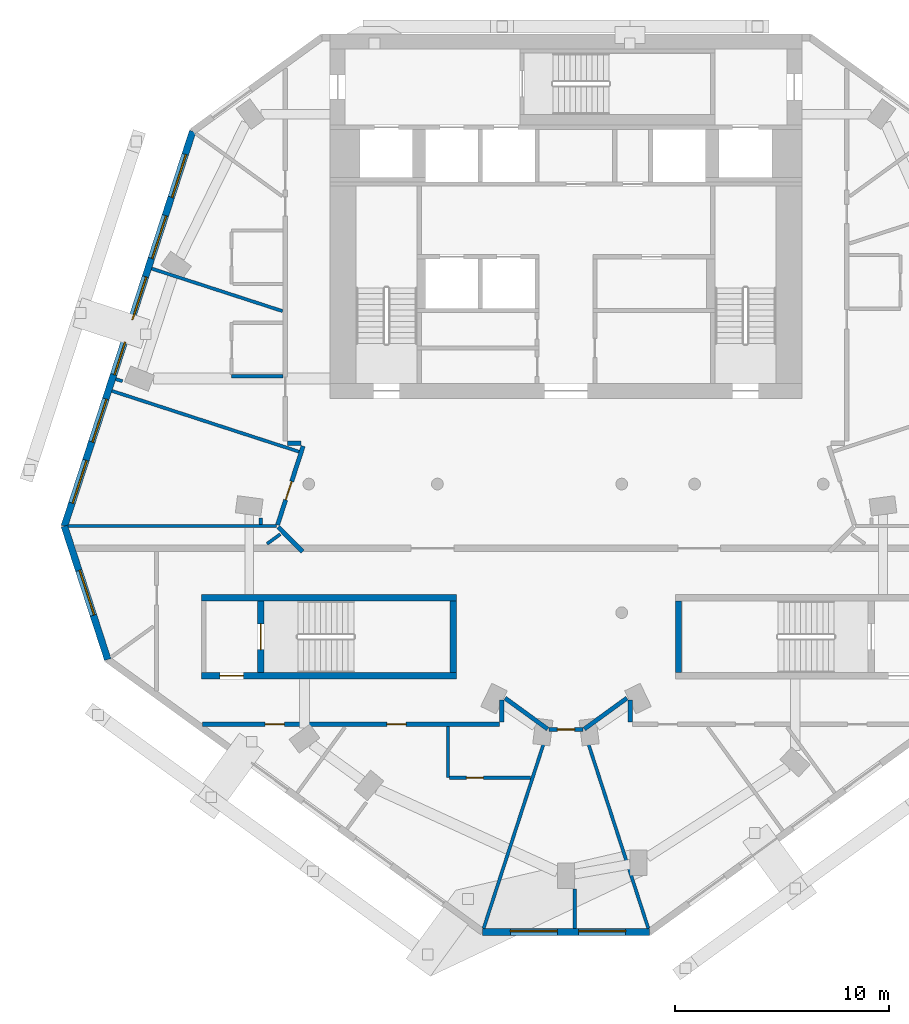
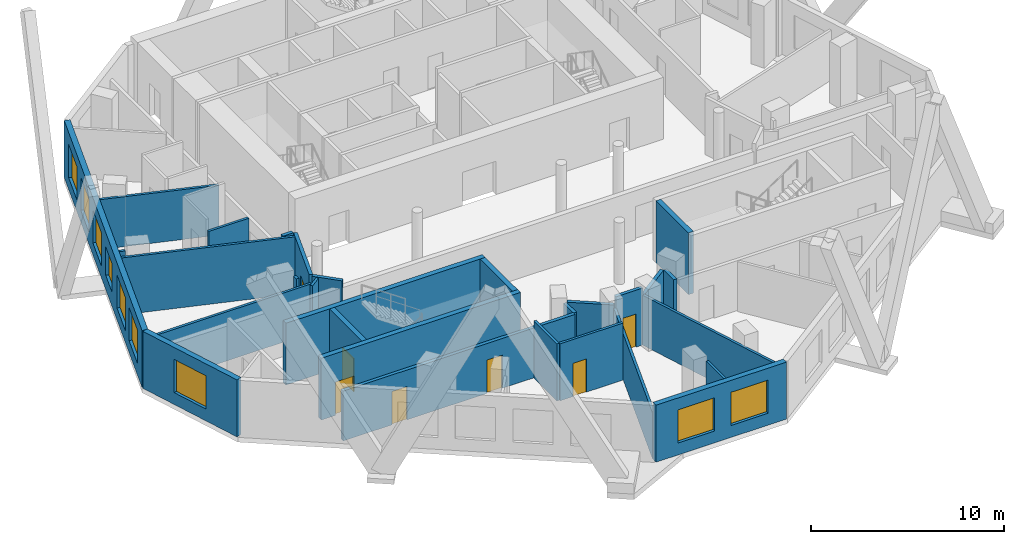
# One storey, part 3 of 9: 29 walls, 9 windows, 7 doors, 16 openings.
"""IFC4 building model written with IfcOpenShell, lengths in metres."""

from ifc_helpers import new_model, si_unit, direction, frame, frame_2d, origin, place, context, subcontext, project, spatial, rectangle, extrude, material, layer, layer_set, type_object, element, fill, save


model = new_model("IFC4")

# Units and contexts
model_context = context("Model", 3, precision=1e-05, world=origin(), true_north=direction((0.0, 1.0)))
body_context = subcontext(model_context, "Body", "Model", "MODEL_VIEW")
ifc_project = project(units=[si_unit("LENGTHUNIT", "METRE"), si_unit("AREAUNIT", "SQUARE_METRE"), si_unit("VOLUMEUNIT", "CUBIC_METRE"), si_unit("PLANEANGLEUNIT", "RADIAN"), si_unit("MASSUNIT", "GRAM", prefix="KILO")], contexts=[model_context])

# Site, building, storey
site_placement = place(None, origin())
site = spatial("IfcSite", under=ifc_project, at=site_placement, CompositionType="ELEMENT")
building_placement = place(site_placement, origin())
building = spatial("IfcBuilding", under=site, at=building_placement, Name="White Candle Pilgrim Tower", CompositionType="ELEMENT")
storey_placement = place(building_placement, frame((0.0, 0.0, 260.0)))
storey = spatial("IfcBuildingStorey", under=building, at=storey_placement, Name="L61", CompositionType="ELEMENT", Elevation=260.0)

# Wall
ifc_material_1 = material(Name="Gypsum board on steel studs", Category="steel")
ifc_layer_1 = layer(ifc_material_1, 0.199951171875)
ifc_layer_set_1 = layer_set([ifc_layer_1], Name="Corridor wall 200 mm EI 45")
wall_type_1 = type_object("IfcWallType", Name="Corridor wall 200 mm EI 45", PredefinedType="PARTITIONING", material=ifc_layer_set_1)
wall_1_placement = place(storey_placement, frame((57.7099609375, 63.85009765625, 0.0), z_axis=(0.0, 0.0, 1.0), x_axis=(-0.70635124515, 0.707861510802, 0.0)))
element("IfcWall", 1, at=wall_1_placement, inside=storey, type_object=wall_type_1, Name="WL-L61-P003", PredefinedType="PARTITIONING", context=body_context, shape_type="SweptSolid", body=[
    extrude(rectangle(XDim=1.616455078125, YDim=0.199951171875, at=frame_2d((0.80810546875, 0.0))), origin(), (0.0, 0.0, 1.0), 3.60009765625),
])

# Wall, opening, door
wall_2_placement = place(storey_placement, frame((56.543701171875, 65.095947265625, 0.0), z_axis=(0.0, 0.0, 1.0), x_axis=(0.309050338142, 0.951045681602, 0.0)))
wall_2 = element("IfcWall", 2, at=wall_2_placement, inside=storey, type_object=wall_type_1, Name="WL-L61-P004", PredefinedType="PARTITIONING", context=body_context, shape_type="SweptSolid", body=[
    extrude(rectangle(XDim=3.862060546875, YDim=0.199951171875, at=frame_2d((1.93115234375, 0.0))), origin(), (0.0, 0.0, 1.0), 3.60009765625),
])
opening_1_placement = place(wall_2_placement, frame((1.231201171875, 0.0, 0.0)))
opening_1 = element("IfcOpeningElement", 3, at=opening_1_placement, cuts=wall_2, Name="Opening T19-114", PredefinedType="OPENING", context=body_context, shape_type="SweptSolid", body=[
    extrude(rectangle(XDim=0.89990234375, YDim=2.10009765625, at=frame_2d((0.449951171875, 1.050048828125))), frame((0.0, 0.10986328125, 0.0), z_axis=(0.0, -1.0, 0.0), x_axis=(1.0, 0.0, 0.0)), (0.0, 0.0, 1.0), 0.219970703125),
])
ifc_material_2 = material(Name="Steel door leaf", Category="steel")
door_type_1 = type_object("IfcDoorType", Name="Fire door 900 x 2100 EI 30", OperationType="NOTDEFINED", PredefinedType="DOOR", material=ifc_material_2)
door_1_placement = place(opening_1_placement, origin())
door_1 = element("IfcDoor", 4, at=door_1_placement, inside=storey, type_object=door_type_1, Name="Door T19-114", OperationType="SINGLE_SWING_RIGHT", OverallHeight=2.10009765625, OverallWidth=0.89990234375, PredefinedType="DOOR", context=body_context, shape_type="SweptSolid", body=[
    extrude(rectangle(XDim=0.89990234375, YDim=2.10009765625, at=frame_2d((0.449951171875, 1.050048828125))), frame((0.0, 0.02490234375, 0.0), z_axis=(0.0, -1.0, 0.0), x_axis=(1.0, 0.0, 0.0)), (0.0, 0.0, 1.0), 0.050048828125),
])
fill(opening_1, door_1)

# Walls
wall_3_placement = place(storey_placement, frame((57.64208984375, 68.89990234375, 0.0), z_axis=(0.0, 0.0, 1.0), x_axis=(-1.0, 0.0, 0.0)))
element("IfcWall", 5, at=wall_3_placement, inside=storey, type_object=wall_type_1, Name="WL-L61-P005", PredefinedType="PARTITIONING", context=body_context, shape_type="SweptSolid", body=[
    extrude(rectangle(XDim=0.64208984375, YDim=0.199951171875, at=frame_2d((0.321044921875, 0.0))), origin(), (0.0, 0.0, 1.0), 3.60009765625),
])
wall_4_placement = place(storey_placement, frame((73.0, 55.89990234375, 0.0), z_axis=(0.0, 0.0, 1.0), x_axis=(0.0, 1.0, 0.0)))
element("IfcWall", 6, at=wall_4_placement, inside=storey, type_object=wall_type_1, Name="WL-L61-P013", PredefinedType="PARTITIONING", context=body_context, shape_type="SweptSolid", body=[
    extrude(rectangle(XDim=1.03173828125, YDim=0.199951171875, at=frame_2d((0.515869140625, 0.0))), origin(), (0.0, 0.0, 1.0), 3.10009765625),
])
wall_5_placement = place(storey_placement, frame((72.84130859375, 57.012451171875, 0.0), z_axis=(0.0, 0.0, 1.0), x_axis=(-0.809028134854, -0.587769918433, 0.0)))
element("IfcWall", 7, at=wall_5_placement, inside=storey, type_object=wall_type_1, Name="WL-L61-P014", PredefinedType="PARTITIONING", context=body_context, shape_type="SweptSolid", body=[
    extrude(rectangle(XDim=2.457275390625, YDim=0.199951171875, at=frame_2d((1.228515625, 0.0))), origin(), (0.0, 0.0, 1.0), 3.10009765625),
])

# Wall, opening, door
wall_6_placement = place(storey_placement, frame((70.79443359375, 55.549072265625, 0.0), z_axis=(0.0, 0.0, 1.0), x_axis=(-1.0, 0.0, 0.0)))
wall_6 = element("IfcWall", 8, at=wall_6_placement, inside=storey, type_object=wall_type_1, Name="WL-L61-P015", PredefinedType="PARTITIONING", context=body_context, shape_type="SweptSolid", body=[
    extrude(rectangle(XDim=1.5888671875, YDim=0.199951171875, at=frame_2d((0.79443359375, 0.0))), origin(), (0.0, 0.0, 1.0), 3.60009765625),
])
opening_2_placement = place(wall_6_placement, frame((0.394287109375, 0.0, 0.0)))
opening_2 = element("IfcOpeningElement", 9, at=opening_2_placement, cuts=wall_6, Name="Opening T19-106", PredefinedType="OPENING", context=body_context, shape_type="SweptSolid", body=[
    extrude(rectangle(XDim=0.800048828125, YDim=2.10009765625, at=frame_2d((0.39990234375, 1.050048828125))), frame((0.0, 0.10986328125, 0.0), z_axis=(0.0, -1.0, 0.0), x_axis=(1.0, 0.0, 0.0)), (0.0, 0.0, 1.0), 0.219970703125),
])
door_type_2 = type_object("IfcDoorType", Name="Fire door 800 x 2100 EI 30", OperationType="NOTDEFINED", PredefinedType="DOOR", material=ifc_material_2)
door_2_placement = place(opening_2_placement, origin())
door_2 = element("IfcDoor", 10, at=door_2_placement, inside=storey, type_object=door_type_2, Name="Door T19-106", OperationType="SINGLE_SWING_RIGHT", OverallHeight=2.10009765625, OverallWidth=0.800048828125, PredefinedType="DOOR", context=body_context, shape_type="SweptSolid", body=[
    extrude(rectangle(XDim=0.800048828125, YDim=2.10009765625, at=frame_2d((0.39990234375, 1.050048828125))), frame((0.0, 0.02490234375, 0.0), z_axis=(0.0, -1.0, 0.0), x_axis=(1.0, 0.0, 0.0)), (0.0, 0.0, 1.0), 0.050048828125),
])
fill(opening_2, door_2)

# Walls
wall_7_placement = place(storey_placement, frame((69.146728515625, 55.568115234375, 0.0), z_axis=(0.0, 0.0, 1.0), x_axis=(-0.809028134854, 0.587769918433, 0.0)))
element("IfcWall", 11, at=wall_7_placement, inside=storey, type_object=wall_type_1, Name="WL-L61-P016", PredefinedType="PARTITIONING", context=body_context, shape_type="SweptSolid", body=[
    extrude(rectangle(XDim=2.457275390625, YDim=0.199951171875, at=frame_2d((1.228515625, 0.0))), origin(), (0.0, 0.0, 1.0), 3.10009765625),
])
wall_8_placement = place(storey_placement, frame((67.0, 56.931640625, 0.0), z_axis=(0.0, 0.0, 1.0), x_axis=(0.0, -1.0, 0.0)))
element("IfcWall", 12, at=wall_8_placement, inside=storey, type_object=wall_type_1, Name="WL-L61-P017", PredefinedType="PARTITIONING", context=body_context, shape_type="SweptSolid", body=[
    extrude(rectangle(XDim=1.03173828125, YDim=0.199951171875, at=frame_2d((0.515869140625, 0.0))), origin(), (0.0, 0.0, 1.0), 3.10009765625),
])

# Wall, openings, doors
wall_9_placement = place(storey_placement, frame((66.89990234375, 55.800048828125, 0.0), z_axis=(0.0, 0.0, 1.0), x_axis=(-1.0, 0.0, 0.0)))
wall_9 = element("IfcWall", 13, at=wall_9_placement, inside=storey, type_object=wall_type_1, Name="WL-L61-P018", PredefinedType="PARTITIONING", context=body_context, shape_type="SweptSolid", body=[
    extrude(rectangle(XDim=13.8603515625, YDim=0.199951171875, at=frame_2d((6.93017578125, 0.0))), origin(), (0.0, 0.0, 1.0), 3.14990234375),
])
opening_3_placement = place(wall_9_placement, frame((10.03515625, 0.0, 0.0)))
opening_3 = element("IfcOpeningElement", 14, at=opening_3_placement, cuts=wall_9, Name="Opening T19-103", PredefinedType="OPENING", context=body_context, shape_type="SweptSolid", body=[
    extrude(rectangle(XDim=0.89990234375, YDim=2.10009765625, at=frame_2d((0.449951171875, 1.050048828125))), frame((0.0, 0.10986328125, 0.0), z_axis=(0.0, -1.0, 0.0), x_axis=(1.0, 0.0, 0.0)), (0.0, 0.0, 1.0), 0.219970703125),
])
opening_4_placement = place(wall_9_placement, frame((4.35498046875, 0.0, 0.0)))
opening_4 = element("IfcOpeningElement", 15, at=opening_4_placement, cuts=wall_9, Name="Opening T19-105", PredefinedType="OPENING", context=body_context, shape_type="SweptSolid", body=[
    extrude(rectangle(XDim=0.89990234375, YDim=2.10009765625, at=frame_2d((0.449951171875, 1.050048828125))), frame((0.0, 0.10986328125, 0.0), z_axis=(0.0, -1.0, 0.0), x_axis=(1.0, 0.0, 0.0)), (0.0, 0.0, 1.0), 0.219970703125),
])
door_3_placement = place(opening_3_placement, origin())
door_3 = element("IfcDoor", 16, at=door_3_placement, inside=storey, type_object=door_type_1, Name="Door T19-103", OperationType="SINGLE_SWING_LEFT", OverallHeight=2.10009765625, OverallWidth=0.89990234375, PredefinedType="DOOR", context=body_context, shape_type="SweptSolid", body=[
    extrude(rectangle(XDim=0.89990234375, YDim=2.10009765625, at=frame_2d((0.449951171875, 1.050048828125))), frame((0.0, 0.02490234375, 0.0), z_axis=(0.0, -1.0, 0.0), x_axis=(1.0, 0.0, 0.0)), (0.0, 0.0, 1.0), 0.050048828125),
])
fill(opening_3, door_3)
door_4_placement = place(opening_4_placement, origin())
door_4 = element("IfcDoor", 17, at=door_4_placement, inside=storey, type_object=door_type_1, Name="Door T19-105", OperationType="SINGLE_SWING_LEFT", OverallHeight=2.10009765625, OverallWidth=0.89990234375, PredefinedType="DOOR", context=body_context, shape_type="SweptSolid", body=[
    extrude(rectangle(XDim=0.89990234375, YDim=2.10009765625, at=frame_2d((0.449951171875, 1.050048828125))), frame((0.0, 0.02490234375, 0.0), z_axis=(0.0, -1.0, 0.0), x_axis=(1.0, 0.0, 0.0)), (0.0, 0.0, 1.0), 0.050048828125),
])
fill(opening_4, door_4)

# Wall, opening, window
ifc_material_3 = material(Name="Precast concrete C40/50", Category="concrete")
ifc_layer_2 = layer(ifc_material_3, 0.320068359375)
ifc_layer_set_2 = layer_set([ifc_layer_2], Name="Facade wall EW1 precast concrete C40/50 pier wall with timber-lined reveals")
wall_type_2 = type_object("IfcWallType", Name="Facade wall EW1 precast concrete C40/50 pier wall with timber-lined reveals", PredefinedType="SOLIDWALL", material=ifc_layer_set_2)
wall_10_placement = place(storey_placement, frame((46.59912109375, 65.03759765625, 0.0), z_axis=(0.0, 0.0, 1.0), x_axis=(0.309024511065, -0.951054073942, 0.0)))
wall_10 = element("IfcWall", 18, at=wall_10_placement, inside=storey, type_object=wall_type_2, Name="Facade wall L61 W chamfer", PredefinedType="SOLIDWALL", context=body_context, shape_type="SweptSolid", body=[
    extrude(rectangle(XDim=6.546142578125, YDim=0.320068359375, at=frame_2d((3.27294921875, 0.0))), origin(), (0.0, 0.0, 1.0), 3.60009765625),
])
opening_5_placement = place(wall_10_placement, frame((2.173095703125, 0.0, 0.75)))
opening_5 = element("IfcOpeningElement", 19, at=opening_5_placement, cuts=wall_10, Name="Opening W4", PredefinedType="OPENING", context=body_context, shape_type="SweptSolid", body=[
    extrude(rectangle(XDim=2.199951171875, YDim=2.10009765625, at=frame_2d((1.10009765625, 1.050048828125))), frame((0.0, 0.169921875, 0.0), z_axis=(0.0, -1.0, 0.0), x_axis=(1.0, 0.0, 0.0)), (0.0, 0.0, 1.0), 0.340087890625),
])
ifc_material_4 = material(Name="Timber frame with triple glazing", Category="wood")
window_type_1 = type_object("IfcWindowType", Name="Window W4 2200x2100 timber frame triple glazing", PartitioningType="SINGLE_PANEL", PredefinedType="WINDOW", material=ifc_material_4)
window_1_placement = place(opening_5_placement, origin())
window_1 = element("IfcWindow", 20, at=window_1_placement, inside=storey, type_object=window_type_1, Name="Window W4 L61 W chamfer 1", OverallHeight=2.10009765625, OverallWidth=2.199951171875, PartitioningType="SINGLE_PANEL", PredefinedType="WINDOW", context=body_context, shape_type="SweptSolid", body=[
    extrude(rectangle(XDim=2.199951171875, YDim=2.10009765625, at=frame_2d((1.10009765625, 1.050048828125))), frame((0.0, 0.070068359375, 0.0), z_axis=(0.0, -1.0, 0.0), x_axis=(1.0, 0.0, 0.0)), (0.0, 0.0, 1.0), 0.06005859375),
])
fill(opening_5, window_1)

# Wall, openings, windows
wall_11_placement = place(storey_placement, frame((66.105712890625, 46.109130859375, 0.0), z_axis=(0.0, 0.0, 1.0), x_axis=(1.0, 0.0, 0.0)))
wall_11 = element("IfcWall", 21, at=wall_11_placement, inside=storey, type_object=wall_type_2, Name="Facade wall L61 S chamfer", PredefinedType="SOLIDWALL", context=body_context, shape_type="SweptSolid", body=[
    extrude(rectangle(XDim=7.78857421875, YDim=0.320068359375, at=frame_2d((3.894287109375, 0.0))), origin(), (0.0, 0.0, 1.0), 3.60009765625),
])
opening_6_placement = place(wall_11_placement, frame((1.294189453125, 0.0, 0.75)))
opening_6 = element("IfcOpeningElement", 22, at=opening_6_placement, cuts=wall_11, Name="Opening W4", PredefinedType="OPENING", context=body_context, shape_type="SweptSolid", body=[
    extrude(rectangle(XDim=2.199951171875, YDim=2.10009765625, at=frame_2d((1.10009765625, 1.050048828125))), frame((0.0, 0.169921875, 0.0), z_axis=(0.0, -1.0, 0.0), x_axis=(1.0, 0.0, 0.0)), (0.0, 0.0, 1.0), 0.340087890625),
])
opening_7_placement = place(wall_11_placement, frame((4.479248046875, 0.0, 0.75)))
opening_7 = element("IfcOpeningElement", 23, at=opening_7_placement, cuts=wall_11, Name="Opening W4", PredefinedType="OPENING", context=body_context, shape_type="SweptSolid", body=[
    extrude(rectangle(XDim=2.199951171875, YDim=2.10009765625, at=frame_2d((1.10009765625, 1.050048828125))), frame((0.0, 0.169921875, 0.0), z_axis=(0.0, -1.0, 0.0), x_axis=(1.0, 0.0, 0.0)), (0.0, 0.0, 1.0), 0.340087890625),
])
window_2_placement = place(opening_6_placement, origin())
window_2 = element("IfcWindow", 24, at=window_2_placement, inside=storey, type_object=window_type_1, Name="Window W4 L61 S chamfer 1", OverallHeight=2.10009765625, OverallWidth=2.199951171875, PartitioningType="SINGLE_PANEL", PredefinedType="WINDOW", context=body_context, shape_type="SweptSolid", body=[
    extrude(rectangle(XDim=2.199951171875, YDim=2.10009765625, at=frame_2d((1.10009765625, 1.050048828125))), frame((0.0, 0.070068359375, 0.0), z_axis=(0.0, -1.0, 0.0), x_axis=(1.0, 0.0, 0.0)), (0.0, 0.0, 1.0), 0.06005859375),
])
fill(opening_6, window_2)
window_3_placement = place(opening_7_placement, origin())
window_3 = element("IfcWindow", 25, at=window_3_placement, inside=storey, type_object=window_type_1, Name="Window W4 L61 S chamfer 2", OverallHeight=2.10009765625, OverallWidth=2.199951171875, PartitioningType="SINGLE_PANEL", PredefinedType="WINDOW", context=body_context, shape_type="SweptSolid", body=[
    extrude(rectangle(XDim=2.199951171875, YDim=2.10009765625, at=frame_2d((1.10009765625, 1.050048828125))), frame((0.0, 0.070068359375, 0.0), z_axis=(0.0, -1.0, 0.0), x_axis=(1.0, 0.0, 0.0)), (0.0, 0.0, 1.0), 0.06005859375),
])
fill(opening_7, window_3)

wall_12_placement = place(storey_placement, frame((52.58447265625, 83.45849609375, 0.0), z_axis=(0.0, 0.0, 1.0), x_axis=(-0.309018808064, -0.95105592699, 0.0)))
wall_12 = element("IfcWall", 26, at=wall_12_placement, inside=storey, type_object=wall_type_2, Name="Facade wall L61 WNW", PredefinedType="SOLIDWALL", context=body_context, shape_type="SweptSolid", body=[
    extrude(rectangle(XDim=19.368896484375, YDim=0.320068359375, at=frame_2d((9.6845703125, 0.0))), origin(), (0.0, 0.0, 1.0), 3.60009765625),
])
opening_8_placement = place(wall_12_placement, frame((1.134521484375, 0.0, 0.75)))
opening_8 = element("IfcOpeningElement", 27, at=opening_8_placement, cuts=wall_12, Name="Opening W3", PredefinedType="OPENING", context=body_context, shape_type="SweptSolid", body=[
    extrude(rectangle(XDim=2.10009765625, YDim=2.10009765625, at=frame_2d((1.050048828125, 1.050048828125))), frame((0.0, 0.169921875, 0.0), z_axis=(0.0, -1.0, 0.0), x_axis=(1.0, 0.0, 0.0)), (0.0, 0.0, 1.0), 0.340087890625),
])
opening_9_placement = place(wall_12_placement, frame((4.134521484375, 0.0, 0.75)))
opening_9 = element("IfcOpeningElement", 28, at=opening_9_placement, cuts=wall_12, Name="Opening W3", PredefinedType="OPENING", context=body_context, shape_type="SweptSolid", body=[
    extrude(rectangle(XDim=2.10009765625, YDim=2.10009765625, at=frame_2d((1.050048828125, 1.050048828125))), frame((0.0, 0.169921875, 0.0), z_axis=(0.0, -1.0, 0.0), x_axis=(1.0, 0.0, 0.0)), (0.0, 0.0, 1.0), 0.340087890625),
])
opening_10_placement = place(wall_12_placement, frame((7.134521484375, 0.0, 0.75)))
opening_10 = element("IfcOpeningElement", 29, at=opening_10_placement, cuts=wall_12, Name="Opening W3", PredefinedType="OPENING", context=body_context, shape_type="SweptSolid", body=[
    extrude(rectangle(XDim=2.10009765625, YDim=2.10009765625, at=frame_2d((1.050048828125, 1.050048828125))), frame((0.0, 0.169921875, 0.0), z_axis=(0.0, -1.0, 0.0), x_axis=(1.0, 0.0, 0.0)), (0.0, 0.0, 1.0), 0.340087890625),
])
opening_11_placement = place(wall_12_placement, frame((10.3291015625, 0.0, 0.89990234375)))
opening_11 = element("IfcOpeningElement", 30, at=opening_11_placement, cuts=wall_12, Name="Opening W2", PredefinedType="OPENING", context=body_context, shape_type="SweptSolid", body=[
    extrude(rectangle(XDim=1.60009765625, YDim=1.800048828125, at=frame_2d((0.800048828125, 0.89990234375))), frame((0.0, 0.169921875, 0.0), z_axis=(0.0, -1.0, 0.0), x_axis=(1.0, 0.0, 0.0)), (0.0, 0.0, 1.0), 0.340087890625),
])
opening_12_placement = place(wall_12_placement, frame((13.134521484375, 0.0, 0.75)))
opening_12 = element("IfcOpeningElement", 31, at=opening_12_placement, cuts=wall_12, Name="Opening W3", PredefinedType="OPENING", context=body_context, shape_type="SweptSolid", body=[
    extrude(rectangle(XDim=2.10009765625, YDim=2.10009765625, at=frame_2d((1.050048828125, 1.050048828125))), frame((0.0, 0.169921875, 0.0), z_axis=(0.0, -1.0, 0.0), x_axis=(1.0, 0.0, 0.0)), (0.0, 0.0, 1.0), 0.340087890625),
])
opening_13_placement = place(wall_12_placement, frame((16.134521484375, 0.0, 0.75)))
opening_13 = element("IfcOpeningElement", 32, at=opening_13_placement, cuts=wall_12, Name="Opening W3", PredefinedType="OPENING", context=body_context, shape_type="SweptSolid", body=[
    extrude(rectangle(XDim=2.10009765625, YDim=2.10009765625, at=frame_2d((1.050048828125, 1.050048828125))), frame((0.0, 0.169921875, 0.0), z_axis=(0.0, -1.0, 0.0), x_axis=(1.0, 0.0, 0.0)), (0.0, 0.0, 1.0), 0.340087890625),
])
window_type_2 = type_object("IfcWindowType", Name="Window W2 1600x1800 timber frame triple glazing", PartitioningType="SINGLE_PANEL", PredefinedType="WINDOW", material=ifc_material_4)
window_4_placement = place(opening_11_placement, origin())
window_4 = element("IfcWindow", 33, at=window_4_placement, inside=storey, type_object=window_type_2, Name="Window W2 L61 WNW 4", OverallHeight=1.800048828125, OverallWidth=1.60009765625, PartitioningType="SINGLE_PANEL", PredefinedType="WINDOW", context=body_context, shape_type="SweptSolid", body=[
    extrude(rectangle(XDim=1.60009765625, YDim=1.800048828125, at=frame_2d((0.800048828125, 0.89990234375))), frame((0.0, 0.070068359375, 0.0), z_axis=(0.0, -1.0, 0.0), x_axis=(1.0, 0.0, 0.0)), (0.0, 0.0, 1.0), 0.06005859375),
])
fill(opening_11, window_4)
window_type_3 = type_object("IfcWindowType", Name="Window W3 2100x2100 timber frame triple glazing", PartitioningType="SINGLE_PANEL", PredefinedType="WINDOW", material=ifc_material_4)
window_5_placement = place(opening_8_placement, origin())
window_5 = element("IfcWindow", 34, at=window_5_placement, inside=storey, type_object=window_type_3, Name="Window W3 L61 WNW 1", OverallHeight=2.10009765625, OverallWidth=2.10009765625, PartitioningType="SINGLE_PANEL", PredefinedType="WINDOW", context=body_context, shape_type="SweptSolid", body=[
    extrude(rectangle(XDim=2.10009765625, YDim=2.10009765625, at=frame_2d((1.050048828125, 1.050048828125))), frame((0.0, 0.070068359375, 0.0), z_axis=(0.0, -1.0, 0.0), x_axis=(1.0, 0.0, 0.0)), (0.0, 0.0, 1.0), 0.06005859375),
])
fill(opening_8, window_5)
window_6_placement = place(opening_9_placement, origin())
window_6 = element("IfcWindow", 35, at=window_6_placement, inside=storey, type_object=window_type_3, Name="Window W3 L61 WNW 2", OverallHeight=2.10009765625, OverallWidth=2.10009765625, PartitioningType="SINGLE_PANEL", PredefinedType="WINDOW", context=body_context, shape_type="SweptSolid", body=[
    extrude(rectangle(XDim=2.10009765625, YDim=2.10009765625, at=frame_2d((1.050048828125, 1.050048828125))), frame((0.0, 0.070068359375, 0.0), z_axis=(0.0, -1.0, 0.0), x_axis=(1.0, 0.0, 0.0)), (0.0, 0.0, 1.0), 0.06005859375),
])
fill(opening_9, window_6)
window_7_placement = place(opening_10_placement, origin())
window_7 = element("IfcWindow", 36, at=window_7_placement, inside=storey, type_object=window_type_3, Name="Window W3 L61 WNW 3", OverallHeight=2.10009765625, OverallWidth=2.10009765625, PartitioningType="SINGLE_PANEL", PredefinedType="WINDOW", context=body_context, shape_type="SweptSolid", body=[
    extrude(rectangle(XDim=2.10009765625, YDim=2.10009765625, at=frame_2d((1.050048828125, 1.050048828125))), frame((0.0, 0.070068359375, 0.0), z_axis=(0.0, -1.0, 0.0), x_axis=(1.0, 0.0, 0.0)), (0.0, 0.0, 1.0), 0.06005859375),
])
fill(opening_10, window_7)
window_8_placement = place(opening_12_placement, origin())
window_8 = element("IfcWindow", 37, at=window_8_placement, inside=storey, type_object=window_type_3, Name="Window W3 L61 WNW 5", OverallHeight=2.10009765625, OverallWidth=2.10009765625, PartitioningType="SINGLE_PANEL", PredefinedType="WINDOW", context=body_context, shape_type="SweptSolid", body=[
    extrude(rectangle(XDim=2.10009765625, YDim=2.10009765625, at=frame_2d((1.050048828125, 1.050048828125))), frame((0.0, 0.070068359375, 0.0), z_axis=(0.0, -1.0, 0.0), x_axis=(1.0, 0.0, 0.0)), (0.0, 0.0, 1.0), 0.06005859375),
])
fill(opening_12, window_8)
window_9_placement = place(opening_13_placement, origin())
window_9 = element("IfcWindow", 38, at=window_9_placement, inside=storey, type_object=window_type_3, Name="Window W3 L61 WNW 6", OverallHeight=2.10009765625, OverallWidth=2.10009765625, PartitioningType="SINGLE_PANEL", PredefinedType="WINDOW", context=body_context, shape_type="SweptSolid", body=[
    extrude(rectangle(XDim=2.10009765625, YDim=2.10009765625, at=frame_2d((1.050048828125, 1.050048828125))), frame((0.0, 0.070068359375, 0.0), z_axis=(0.0, -1.0, 0.0), x_axis=(1.0, 0.0, 0.0)), (0.0, 0.0, 1.0), 0.06005859375),
])
fill(opening_13, window_9)

# Walls
ifc_layer_3 = layer(ifc_material_1, 0.14990234375)
ifc_layer_set_3 = layer_set([ifc_layer_3], Name="Partition 150 mm EI 60")
wall_type_3 = type_object("IfcWallType", Name="Partition 150 mm EI 60", PredefinedType="PARTITIONING", material=ifc_layer_set_3)
wall_13_placement = place(storey_placement, frame((46.767333984375, 65.03759765625, 0.0), z_axis=(0.0, 0.0, 1.0), x_axis=(1.0, 0.0, 0.0)))
element("IfcWall", 39, at=wall_13_placement, inside=storey, type_object=wall_type_3, Name="WL-L61-P020", PredefinedType="PARTITIONING", context=body_context, shape_type="SweptSolid", body=[
    extrude(rectangle(XDim=9.724853515625, YDim=0.14990234375, at=frame_2d((4.8623046875, 0.0))), origin(), (0.0, 0.0, 1.0), 3.10009765625),
])
wall_14_placement = place(storey_placement, frame((56.052978515625, 64.210693359375, 0.0), z_axis=(0.0, 0.0, 1.0), x_axis=(0.808985495234, 0.587828604698, 0.0)))
element("IfcWall", 40, at=wall_14_placement, inside=storey, type_object=wall_type_3, Name="WL-L61-P022", PredefinedType="PARTITIONING", context=body_context, shape_type="SweptSolid", body=[
    extrude(rectangle(XDim=0.76171875, YDim=0.14990234375, at=frame_2d((0.380859375, 0.0))), origin(), (0.0, 0.0, 1.0), 3.60009765625),
])
wall_15_placement = place(storey_placement, frame((66.15771484375, 46.26904296875, 0.0), z_axis=(0.0, 0.0, 1.0), x_axis=(0.309017584441, 0.951056324571, 0.0)))
element("IfcWall", 41, at=wall_15_placement, inside=storey, type_object=wall_type_3, Name="WL-L61-P023", PredefinedType="PARTITIONING", context=body_context, shape_type="SweptSolid", body=[
    extrude(rectangle(XDim=9.672607421875, YDim=0.14990234375, at=frame_2d((4.83642578125, 0.0))), origin(), (0.0, 0.0, 1.0), 2.89990234375),
])
wall_16_placement = place(storey_placement, frame((73.84228515625, 46.26904296875, 0.0), z_axis=(0.0, 0.0, 1.0), x_axis=(-0.309017584441, 0.951056324571, 0.0)))
element("IfcWall", 42, at=wall_16_placement, inside=storey, type_object=wall_type_3, Name="WL-L61-P024", PredefinedType="PARTITIONING", context=body_context, shape_type="SweptSolid", body=[
    extrude(rectangle(XDim=9.672607421875, YDim=0.14990234375, at=frame_2d((4.83642578125, 0.0))), origin(), (0.0, 0.0, 1.0), 3.14990234375),
])
wall_17_placement = place(storey_placement, frame((50.6708984375, 77.0517578125, 0.0), z_axis=(0.0, 0.0, 1.0), x_axis=(0.951059216388, -0.309008684221, 0.0)))
element("IfcWall", 43, at=wall_17_placement, inside=storey, type_object=wall_type_3, Name="WL-L61-P029", PredefinedType="PARTITIONING", context=body_context, shape_type="SweptSolid", body=[
    extrude(rectangle(XDim=6.420166015625, YDim=0.14990234375, at=frame_2d((3.2099609375, 0.0))), origin(), (0.0, 0.0, 1.0), 3.14990234375),
])
wall_18_placement = place(storey_placement, frame((48.81689453125, 71.345458984375, 0.0), z_axis=(0.0, 0.0, 1.0), x_axis=(0.951060058909, -0.309006091118, 0.0)))
element("IfcWall", 44, at=wall_18_placement, inside=storey, type_object=wall_type_3, Name="WL-L61-P030", PredefinedType="PARTITIONING", context=body_context, shape_type="SweptSolid", body=[
    extrude(rectangle(XDim=9.179931640625, YDim=0.14990234375, at=frame_2d((4.58984375, 0.0))), origin(), (0.0, 0.0, 1.0), 3.60009765625),
])
wall_19_placement = place(storey_placement, frame((56.800048828125, 72.02783203125, 0.0), z_axis=(0.0, 0.0, 1.0), x_axis=(-1.0, 0.0, 0.0)))
element("IfcWall", 45, at=wall_19_placement, inside=storey, type_object=wall_type_3, Name="WL-L61-P034", PredefinedType="PARTITIONING", context=body_context, shape_type="SweptSolid", body=[
    extrude(rectangle(XDim=2.400146484375, YDim=0.14990234375, at=frame_2d((1.2001953125, 0.0))), origin(), (0.0, 0.0, 1.0), 2.89990234375),
])
wall_20_placement = place(storey_placement, frame((64.5, 55.699951171875, 0.0), z_axis=(0.0, 0.0, 1.0), x_axis=(0.0, -1.0, 0.0)))
element("IfcWall", 46, at=wall_20_placement, inside=storey, type_object=wall_type_3, Name="WL-L61-P038", PredefinedType="PARTITIONING", context=body_context, shape_type="SweptSolid", body=[
    extrude(rectangle(XDim=2.39990234375, YDim=0.14990234375, at=frame_2d((1.199951171875, 0.0))), origin(), (0.0, 0.0, 1.0), 3.60009765625),
])

# Wall, opening, door
wall_21_placement = place(storey_placement, frame((68.339111328125, 53.300048828125, 0.0), z_axis=(0.0, 0.0, 1.0), x_axis=(-1.0, 0.0, 0.0)))
wall_21 = element("IfcWall", 47, at=wall_21_placement, inside=storey, type_object=wall_type_3, Name="WL-L61-P039", PredefinedType="PARTITIONING", context=body_context, shape_type="SweptSolid", body=[
    extrude(rectangle(XDim=3.76416015625, YDim=0.14990234375, at=frame_2d((1.882080078125, 0.0))), origin(), (0.0, 0.0, 1.0), 3.60009765625),
])
opening_14_placement = place(wall_21_placement, frame((2.189208984375, 0.0, 0.0)))
opening_14 = element("IfcOpeningElement", 48, at=opening_14_placement, cuts=wall_21, Name="Opening T19-104", PredefinedType="OPENING", context=body_context, shape_type="SweptSolid", body=[
    extrude(rectangle(XDim=0.800048828125, YDim=2.10009765625, at=frame_2d((0.39990234375, 1.050048828125))), frame((0.0, 0.0849609375, 0.0), z_axis=(0.0, -1.0, 0.0), x_axis=(1.0, 0.0, 0.0)), (0.0, 0.0, 1.0), 0.169921875),
])
door_5_placement = place(opening_14_placement, origin())
door_5 = element("IfcDoor", 49, at=door_5_placement, inside=storey, type_object=door_type_2, Name="Door T19-104", OperationType="SINGLE_SWING_RIGHT", OverallHeight=2.10009765625, OverallWidth=0.800048828125, PredefinedType="DOOR", context=body_context, shape_type="SweptSolid", body=[
    extrude(rectangle(XDim=0.800048828125, YDim=2.10009765625, at=frame_2d((0.39990234375, 1.050048828125))), frame((0.0, 0.02490234375, 0.0), z_axis=(0.0, -1.0, 0.0), x_axis=(1.0, 0.0, 0.0)), (0.0, 0.0, 1.0), 0.050048828125),
])
fill(opening_14, door_5)

# Walls
wall_22_placement = place(storey_placement, frame((70.409912109375, 48.10009765625, 0.0), z_axis=(0.0, 0.0, 1.0), x_axis=(0.0, -1.0, 0.0)))
element("IfcWall", 50, at=wall_22_placement, inside=storey, type_object=wall_type_3, Name="WL-L61-P048", PredefinedType="PARTITIONING", context=body_context, shape_type="SweptSolid", body=[
    extrude(rectangle(XDim=1.8310546875, YDim=0.14990234375, at=frame_2d((0.91552734375, 0.0))), origin(), (0.0, 0.0, 1.0), 3.60009765625),
])
wall_23_placement = place(storey_placement, frame((49.308349609375, 71.7958984375, 0.0), z_axis=(0.0, 0.0, 1.0), x_axis=(-0.951181521539, 0.308632002688, 0.0)))
element("IfcWall", 51, at=wall_23_placement, inside=storey, type_object=wall_type_3, Name="WL-L61-P051", PredefinedType="PARTITIONING", context=body_context, shape_type="SweptSolid", body=[
    extrude(rectangle(XDim=0.328369140625, YDim=0.14990234375, at=frame_2d((0.1640625, 0.0))), origin(), (0.0, 0.0, 1.0), 3.60009765625),
])
wall_24_placement = place(storey_placement, frame((55.75927734375, 65.4140625, 0.0), z_axis=(0.0, 0.0, 1.0), x_axis=(0.0, -1.0, 0.0)))
element("IfcWall", 52, at=wall_24_placement, inside=storey, type_object=wall_type_3, Name="WL-L61-P053", PredefinedType="PARTITIONING", context=body_context, shape_type="SweptSolid", body=[
    extrude(rectangle(XDim=0.30126953125, YDim=0.14990234375, at=frame_2d((0.150634765625, 0.0))), origin(), (0.0, 0.0, 1.0), 3.60009765625),
])

# Wall, opening, door
ifc_material_5 = material(Name="Concrete C50/60", Category="concrete")
ifc_layer_4 = layer(ifc_material_5, 0.300048828125)
ifc_layer_set_4 = layer_set([ifc_layer_4], Name="Stair shaft wall 300 mm Concrete C50/60")
wall_type_4 = type_object("IfcWallType", Name="Stair shaft wall 300 mm Concrete C50/60", PredefinedType="SHEAR", material=ifc_layer_set_4)
wall_25_placement = place(storey_placement, frame((53.0, 58.050048828125, 0.0), z_axis=(0.0, 0.0, 1.0), x_axis=(1.0, 0.0, 0.0)))
wall_25 = element("IfcWall", 53, at=wall_25_placement, inside=storey, type_object=wall_type_4, Name="WL-L61-C01", PredefinedType="SHEAR", context=body_context, shape_type="SweptSolid", body=[
    extrude(rectangle(XDim=11.89990234375, YDim=0.300048828125, at=frame_2d((5.949951171875, 0.0))), origin(), (0.0, 0.0, 1.0), 3.89990234375),
])
opening_15_placement = place(wall_25_placement, frame((0.85009765625, 0.0, 0.0)))
opening_15 = element("IfcOpeningElement", 54, at=opening_15_placement, cuts=wall_25, Name="Opening T19-010", PredefinedType="OPENING", context=body_context, shape_type="SweptSolid", body=[
    extrude(rectangle(XDim=1.10009765625, YDim=2.10009765625, at=frame_2d((0.550048828125, 1.050048828125))), frame((0.0, 0.159912109375, 0.0), z_axis=(0.0, -1.0, 0.0), x_axis=(1.0, 0.0, 0.0)), (0.0, 0.0, 1.0), 0.320068359375),
])
door_type_3 = type_object("IfcDoorType", Name="Fire door 1100 x 2100 EI 60", OperationType="NOTDEFINED", PredefinedType="DOOR", material=ifc_material_2)
door_6_placement = place(opening_15_placement, origin())
door_6 = element("IfcDoor", 55, at=door_6_placement, inside=storey, type_object=door_type_3, Name="Door T19-010", OperationType="SINGLE_SWING_RIGHT", OverallHeight=2.10009765625, OverallWidth=1.10009765625, PredefinedType="DOOR", context=body_context, shape_type="SweptSolid", body=[
    extrude(rectangle(XDim=1.10009765625, YDim=2.10009765625, at=frame_2d((0.550048828125, 1.050048828125))), frame((0.0, 0.02490234375, 0.0), z_axis=(0.0, -1.0, 0.0), x_axis=(1.0, 0.0, 0.0)), (0.0, 0.0, 1.0), 0.050048828125),
])
fill(opening_15, door_6)

wall_26_placement = place(storey_placement, frame((55.75, 58.199951171875, 0.0), z_axis=(0.0, 0.0, 1.0), x_axis=(0.0, 1.0, 0.0)))
wall_26 = element("IfcWall", 56, at=wall_26_placement, inside=storey, type_object=wall_type_4, Name="WL-L61-C04", PredefinedType="SHEAR", context=body_context, shape_type="SweptSolid", body=[
    extrude(rectangle(XDim=3.35009765625, YDim=0.300048828125, at=frame_2d((1.675048828125, 0.0))), origin(), (0.0, 0.0, 1.0), 3.89990234375),
])
opening_16_placement = place(wall_26_placement, frame((1.074951171875, 0.0, 0.0)))
opening_16 = element("IfcOpeningElement", 57, at=opening_16_placement, cuts=wall_26, Name="Opening T19-011", PredefinedType="OPENING", context=body_context, shape_type="SweptSolid", body=[
    extrude(rectangle(XDim=1.199951171875, YDim=2.10009765625, at=frame_2d((0.60009765625, 1.050048828125))), frame((0.0, 0.159912109375, 0.0), z_axis=(0.0, -1.0, 0.0), x_axis=(1.0, 0.0, 0.0)), (0.0, 0.0, 1.0), 0.320068359375),
])
door_type_4 = type_object("IfcDoorType", Name="Fire door 1200 x 2100 EI 60", OperationType="NOTDEFINED", PredefinedType="DOOR", material=ifc_material_2)
door_7_placement = place(opening_16_placement, frame((1.199951171875, 0.0, 0.0), z_axis=(0.0, 0.0, 1.0), x_axis=(-1.0, 0.0, 0.0)))
door_7 = element("IfcDoor", 58, at=door_7_placement, inside=storey, type_object=door_type_4, Name="Door T19-011", OperationType="SINGLE_SWING_RIGHT", OverallHeight=2.10009765625, OverallWidth=1.199951171875, PredefinedType="DOOR", context=body_context, shape_type="SweptSolid", body=[
    extrude(rectangle(XDim=1.199951171875, YDim=2.10009765625, at=frame_2d((0.60009765625, 1.050048828125))), frame((0.0, 0.02490234375, 0.0), z_axis=(0.0, -1.0, 0.0), x_axis=(1.0, 0.0, 0.0)), (0.0, 0.0, 1.0), 0.050048828125),
])
fill(opening_16, door_7)

# Walls
for number, where, z_axis, x_axis, name in (
    (59, (64.75, 58.199951171875, 0.0), (0.0, 0.0, 1.0), (0.0, 1.0, 0.0), "WL-L61-C05"),
    (60, (75.25, 58.199951171875, 0.0), (0.0, 0.0, 1.0), (0.0, 1.0, 0.0), "WL-L61-C06"),
):
    element("IfcWall", number, at=place(storey_placement, frame(where, z_axis=z_axis, x_axis=x_axis)), inside=storey, type_object=wall_type_4, Name=name, PredefinedType="SHEAR", context=body_context, shape_type="SweptSolid", body=[
        extrude(rectangle(XDim=3.35009765625, YDim=0.300048828125, at=frame_2d((1.675048828125, 0.0))), origin(), (0.0, 0.0, 1.0), 3.89990234375),
    ])
wall_27_placement = place(storey_placement, frame((53.0, 61.699951171875, 0.0), z_axis=(0.0, 0.0, 1.0), x_axis=(1.0, 0.0, 0.0)))
element("IfcWall", 61, at=wall_27_placement, inside=storey, type_object=wall_type_4, Name="WL-L61-C09", PredefinedType="SHEAR", context=body_context, shape_type="SweptSolid", body=[
    extrude(rectangle(XDim=11.89990234375, YDim=0.300048828125, at=frame_2d((5.949951171875, 0.0))), origin(), (0.0, 0.0, 1.0), 3.89990234375),
])

save(model, "model.ifc")
